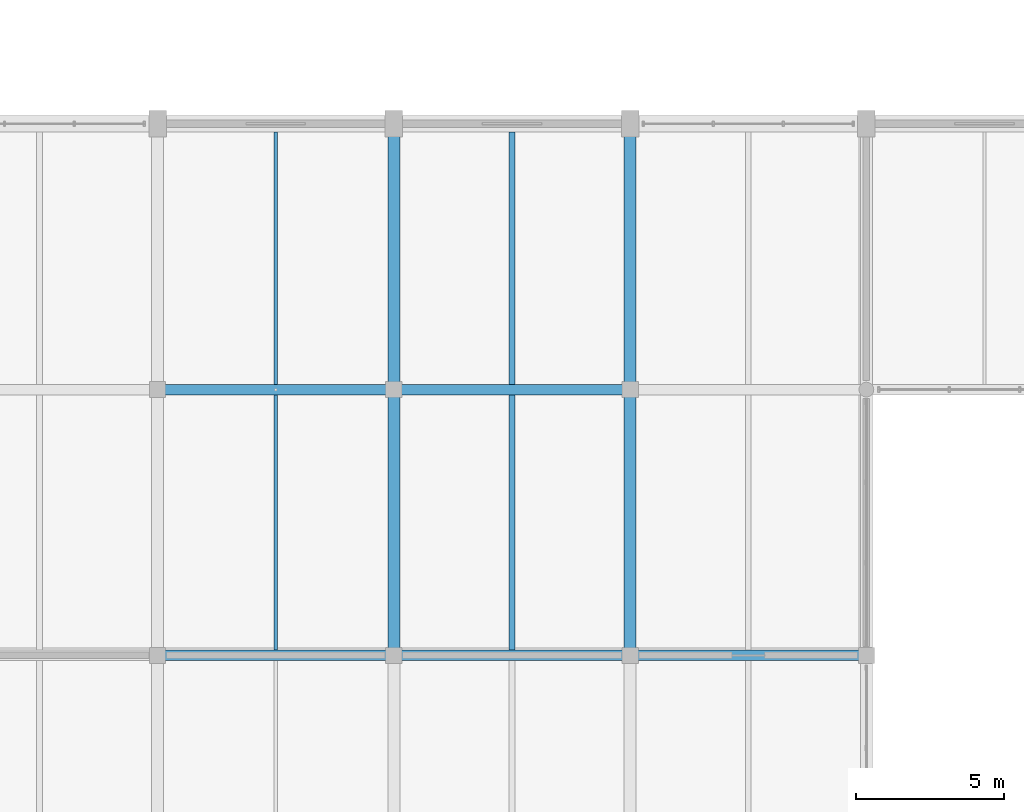
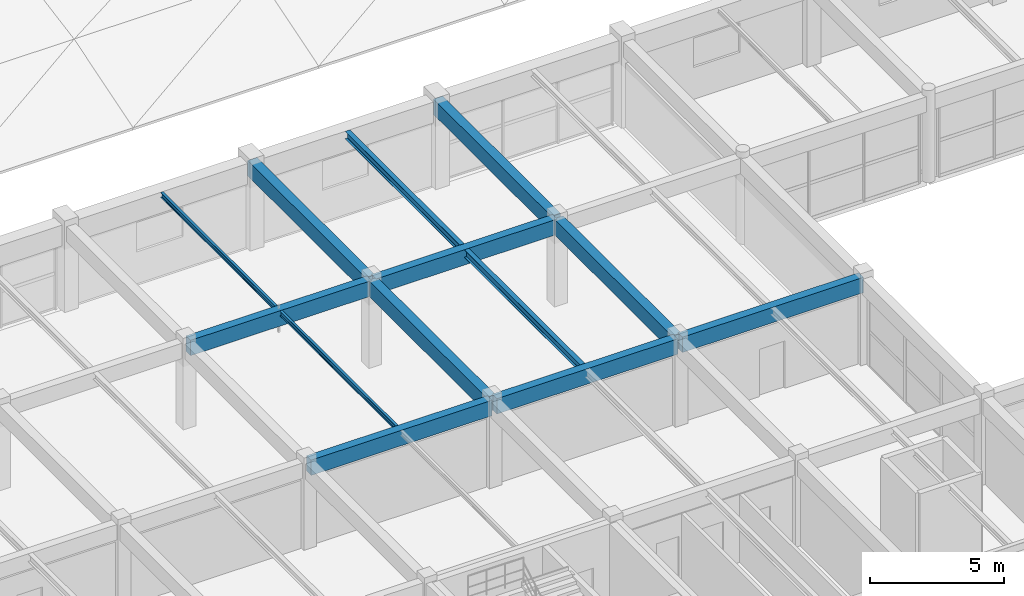
# One storey, part 11 of 63: 13 beams.
"""IFC4 building model written with IfcOpenShell, lengths in metres."""

from ifc_helpers import new_model, si_unit, direction, frame, origin, origin_2d, place, context, subcontext, project, spatial, rectangle, i_section, extrude, material, material_profile, profile_set, type_object, element, save


model = new_model("IFC4")

# Units and contexts
model_context = context("Model", 3, precision=1e-05, world=origin(), true_north=direction((0.0, 1.0)))
body_context = subcontext(model_context, "Body", "Model", "MODEL_VIEW")
ifc_project = project(units=[si_unit("LENGTHUNIT", "METRE"), si_unit("AREAUNIT", "SQUARE_METRE"), si_unit("VOLUMEUNIT", "CUBIC_METRE"), si_unit("PLANEANGLEUNIT", "RADIAN"), si_unit("MASSUNIT", "GRAM", prefix="KILO")], contexts=[model_context])

# Site, building, storey
site_placement = place(None, origin())
site = spatial("IfcSite", under=ifc_project, at=site_placement, CompositionType="ELEMENT")
building_placement = place(site_placement, origin())
building = spatial("IfcBuilding", under=site, at=building_placement, Name="Varnabhumi Central Station", CompositionType="ELEMENT")
storey_placement = place(building_placement, frame((0.0, 0.0, 20.39990234375)))
storey = spatial("IfcBuildingStorey", under=building, at=storey_placement, Name="L04", CompositionType="ELEMENT", Elevation=20.39990234375)

# Beams
ifc_material_1 = material(Name="Concrete M40", Category="concrete")
ifc_material_profile_1 = material_profile(ifc_material_1, rectangle(XDim=0.35009765625, YDim=0.699951171875, at=origin_2d()), Name="Concrete M40", Category="concrete")
ifc_profile_set_1 = profile_set([ifc_material_profile_1], Name="Concrete M40")
beam_type_1 = type_object("IfcBeamType", Name="BM-RC-350x700", PredefinedType="BEAM", material=ifc_profile_set_1)
for number, where, z_axis, x_axis, name in (
    (1, (88.10009765625, 18.0, 3.570068359375), (1.0, 0.0, 0.0), (0.0, 1.0, 0.0), "Beam L04-C:12-13"),
    (2, (88.10009765625, 27.0, 3.570068359375), (1.0, 0.0, 0.0), (0.0, 1.0, 0.0), "Beam L04-D:12-13"),
    (3, (96.10009765625, 18.0, 3.570068359375), (1.0, 0.0, 0.0), (0.0, 1.0, 0.0), "Beam L04-C:13-14"),
    (4, (96.10009765625, 27.0, 3.570068359375), (1.0, 0.0, 0.0), (0.0, 1.0, 0.0), "Beam L04-D:13-14"),
    (5, (104.10009765625, 18.0, 3.570068359375), (1.0, 0.0, 0.0), (0.0, 1.0, 0.0), "Beam L04-C:14-15"),
):
    element("IfcBeam", number, at=place(storey_placement, frame(where, z_axis=z_axis, x_axis=x_axis)), inside=storey, type_object=beam_type_1, Name=name, PredefinedType="BEAM", context=body_context, shape_type="SweptSolid", body=[
        extrude(rectangle(XDim=0.35009765625, YDim=0.699951171875, at=origin_2d()), origin(), (0.0, 0.0, 1.0), 7.7998046875),
    ])
ifc_material_profile_2 = material_profile(ifc_material_1, rectangle(XDim=0.39990234375, YDim=0.699951171875, at=origin_2d()), Name="Concrete M40", Category="concrete")
ifc_profile_set_2 = profile_set([ifc_material_profile_2], Name="Concrete M40")
beam_type_2 = type_object("IfcBeamType", Name="BM-RC-700x400", PredefinedType="BEAM", material=ifc_profile_set_2)
for number, where, z_axis, x_axis, name in (
    (6, (96.0, 18.10009765625, 3.570068359375), (0.0, 1.0, 0.0), (-1.0, 0.0, 0.0), "Beam L04-13:C-D"),
    (7, (104.0, 18.10009765625, 3.570068359375), (0.0, 1.0, 0.0), (-1.0, 0.0, 0.0), "Beam L04-14:C-D"),
    (8, (96.0, 27.10009765625, 3.570068359375), (0.0, 1.0, 0.0), (-1.0, 0.0, 0.0), "Beam L04-13:D-E"),
    (9, (104.0, 27.10009765625, 3.570068359375), (0.0, 1.0, 0.0), (-1.0, 0.0, 0.0), "Beam L04-14:D-E"),
):
    element("IfcBeam", number, at=place(storey_placement, frame(where, z_axis=z_axis, x_axis=x_axis)), inside=storey, type_object=beam_type_2, Name=name, PredefinedType="BEAM", context=body_context, shape_type="SweptSolid", body=[
        extrude(rectangle(XDim=0.39990234375, YDim=0.699951171875, at=origin_2d()), origin(), (0.0, 0.0, 1.0), 8.7998046875),
    ])
ifc_material_2 = material(Name="Structural steel E350", Category="steel")
ifc_material_profile_3 = material_profile(ifc_material_2, i_section(OverallWidth=0.110107421875, OverallDepth=0.22509765625, WebThickness=0.006591796875, FlangeThickness=0.01171875, FilletRadius=0.011962890625, at=origin_2d()), Name="Structural steel E350", Category="steel")
ifc_profile_set_3 = profile_set([ifc_material_profile_3], Name="Structural steel E350")
beam_type_3 = type_object("IfcBeamType", Name="BM-STL-ISMB225", PredefinedType="JOIST", material=ifc_profile_set_3)
beam_1_placement = place(storey_placement, frame((92.0, 18.175048828125, 3.8076171875), z_axis=(0.0, 1.0, 0.0), x_axis=(-1.0, 0.0, 0.0)))
element("IfcBeam", 10, at=beam_1_placement, inside=storey, type_object=beam_type_3, Name="Secondary Joist L04-12/13:C-D", PredefinedType="JOIST", context=body_context, shape_type="SweptSolid", body=[
    extrude(i_section(OverallWidth=0.110107421875, OverallDepth=0.22509765625, WebThickness=0.006591796875, FlangeThickness=0.01171875, FilletRadius=0.011962890625, at=origin_2d()), origin(), (0.0, 0.0, 1.0), 8.64990234375),
])
beam_2_placement = place(storey_placement, frame((92.0, 27.175048828125, 3.8076171875), z_axis=(0.0, 1.0, 0.0), x_axis=(-1.0, 0.0, 0.0)))
element("IfcBeam", 11, at=beam_2_placement, inside=storey, type_object=beam_type_3, Name="Secondary Joist L04-12/13:D-E", PredefinedType="JOIST", context=body_context, shape_type="SweptSolid", body=[
    extrude(i_section(OverallWidth=0.110107421875, OverallDepth=0.22509765625, WebThickness=0.006591796875, FlangeThickness=0.01171875, FilletRadius=0.011962890625, at=origin_2d()), origin(), (0.0, 0.0, 1.0), 8.550048828125),
])
ifc_material_profile_4 = material_profile(ifc_material_2, i_section(OverallWidth=0.199951171875, OverallDepth=0.35009765625, WebThickness=0.008056640625, FlangeThickness=0.011474609375, FilletRadius=0.011962890625, at=origin_2d()), Name="Structural steel E350", Category="steel")
ifc_profile_set_4 = profile_set([ifc_material_profile_4], Name="Structural steel E350")
beam_type_4 = type_object("IfcBeamType", Name="BM-STL-ISWB350", PredefinedType="JOIST", material=ifc_profile_set_4)
beam_3_placement = place(storey_placement, frame((100.0, 18.175048828125, 3.7451171875), z_axis=(0.0, 1.0, 0.0), x_axis=(-1.0, 0.0, 0.0)))
element("IfcBeam", 12, at=beam_3_placement, inside=storey, type_object=beam_type_4, Name="Secondary Joist L04-13/14:C-D", PredefinedType="JOIST", context=body_context, shape_type="SweptSolid", body=[
    extrude(i_section(OverallWidth=0.199951171875, OverallDepth=0.35009765625, WebThickness=0.008056640625, FlangeThickness=0.011474609375, FilletRadius=0.011962890625, at=origin_2d()), origin(), (0.0, 0.0, 1.0), 8.64990234375),
])
beam_4_placement = place(storey_placement, frame((100.0, 27.175048828125, 3.7451171875), z_axis=(0.0, 1.0, 0.0), x_axis=(-1.0, 0.0, 0.0)))
element("IfcBeam", 13, at=beam_4_placement, inside=storey, type_object=beam_type_4, Name="Secondary Joist L04-13/14:D-E", PredefinedType="JOIST", context=body_context, shape_type="SweptSolid", body=[
    extrude(i_section(OverallWidth=0.199951171875, OverallDepth=0.35009765625, WebThickness=0.008056640625, FlangeThickness=0.011474609375, FilletRadius=0.011962890625, at=origin_2d()), origin(), (0.0, 0.0, 1.0), 8.550048828125),
])

save(model, "model.ifc")
